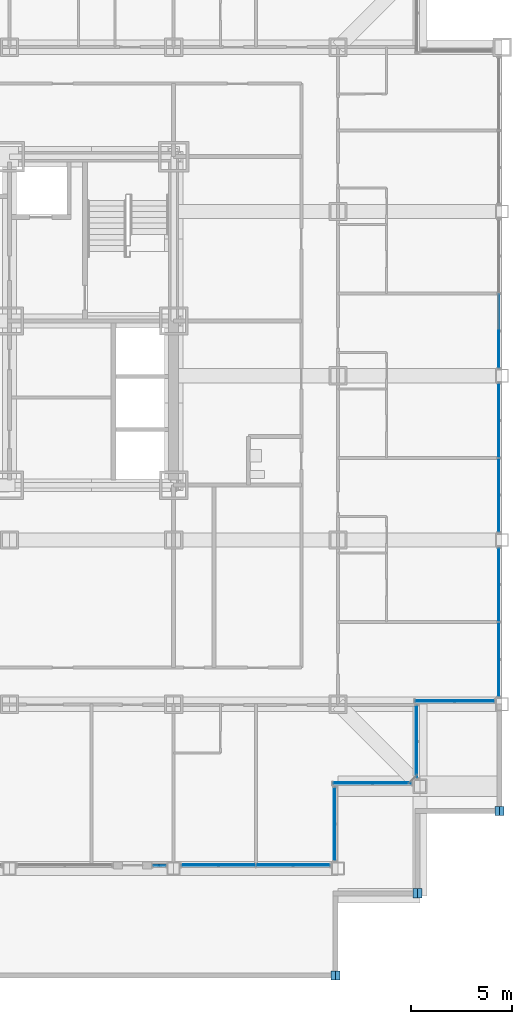
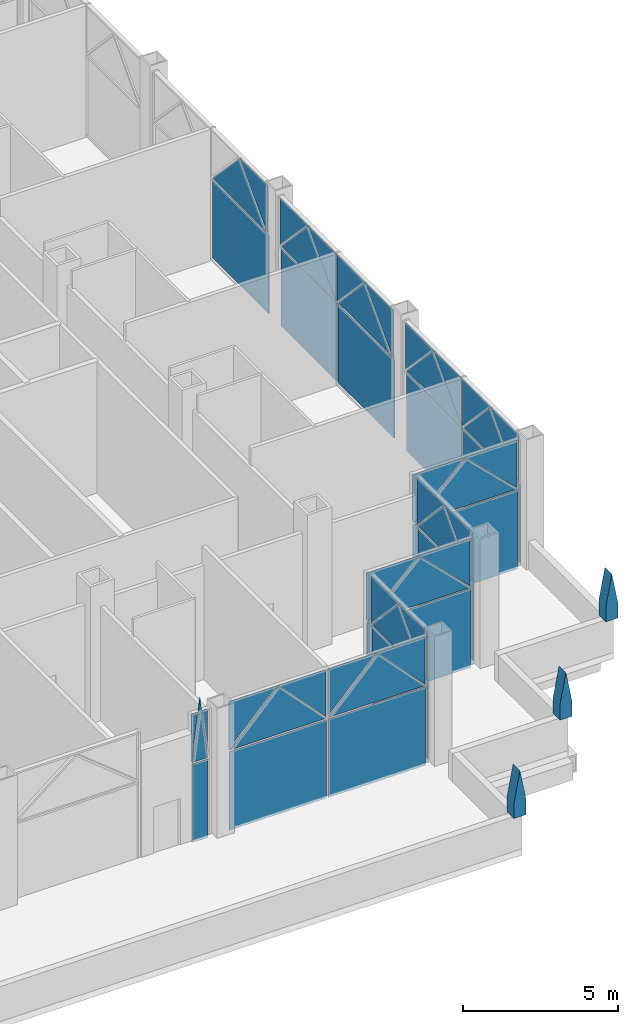
# One storey, part 12 of 26: 50 plates, 9 elements without a shape of their own.
"""IFC4 building model written with IfcOpenShell, lengths in metres."""

from ifc_helpers import new_model, si_unit, direction, frame, origin, origin_2d, place, context, subcontext, project, spatial, polyline, rectangle, outline, extrude, material, layer, layer_set, type_object, element, aggregate, save


model = new_model("IFC4")

# Units and contexts
model_context = context("Model", 3, precision=1e-05, world=origin(), true_north=direction((0.0, 1.0)))
body_context = subcontext(model_context, "Body", "Model", "MODEL_VIEW")
ifc_project = project(units=[si_unit("LENGTHUNIT", "METRE"), si_unit("AREAUNIT", "SQUARE_METRE"), si_unit("VOLUMEUNIT", "CUBIC_METRE"), si_unit("PLANEANGLEUNIT", "RADIAN"), si_unit("MASSUNIT", "GRAM", prefix="KILO")], contexts=[model_context])

# Site, building, storey
site_placement = place(None, origin())
site = spatial("IfcSite", under=ifc_project, at=site_placement, CompositionType="ELEMENT")
building_placement = place(site_placement, origin())
building = spatial("IfcBuilding", under=site, at=building_placement, Name="Kopane Lantern Tower", CompositionType="ELEMENT")
storey_placement = place(building_placement, frame((0.0, 0.0, 98.0)))
storey = spatial("IfcBuildingStorey", under=building, at=storey_placement, Name="L24", CompositionType="ELEMENT", Elevation=98.0)

# Curtain wall, plates
ifc_material_1 = material(Name="Aluminium and clear glass", Category="aluminium")
curtain_wall_type = type_object("IfcCurtainWallType", Name="CURTAIN WALL CW3 SKY LOBBY", PredefinedType="USERDEFINED", material=ifc_material_1)
curtain_wall_1_placement = place(storey_placement, origin())
curtain_wall_1 = element("IfcCurtainWall", 1, at=curtain_wall_1_placement, inside=storey, type_object=curtain_wall_type, Name="Curtain wall CW3 S L24", ObjectType="CURTAIN WALL", PredefinedType="USERDEFINED")
ifc_material_2 = material(Name="Insulated clear glass unit", Category="glass")
ifc_layer_1 = layer(ifc_material_2, 0.033935546875)
ifc_layer_set_1 = layer_set([ifc_layer_1], Name="CURTAIN PANEL CW3-P 34")
plate_type_1 = type_object("IfcPlateType", Name="CURTAIN PANEL CW3-P 34", PredefinedType="CURTAIN_PANEL", material=ifc_layer_set_1)
plate_1_placement = place(storey_placement, frame((39.797607421875, 5.550048828125, 0.070068359375), z_axis=(0.0, 0.0, 1.0), x_axis=(1.0, 0.0, 0.0)))
plate_1 = element("IfcPlate", 2, at=plate_1_placement, type_object=plate_type_1, Name="CW3 panel 1.1", PredefinedType="CURTAIN_PANEL", context=body_context, shape_type="SweptSolid", body=[
    extrude(rectangle(XDim=0.60498046875, YDim=0.033935546875, at=origin_2d()), origin(), (0.0, 0.0, 1.0), 3.0849609375),
])
plate_2_placement = place(storey_placement, frame((39.4951171875, 5.550048828125, 3.22509765625), z_axis=(0.0, 0.0, 1.0), x_axis=(1.0, 0.0, 0.0)))
plate_2 = element("IfcPlate", 3, at=plate_2_placement, type_object=plate_type_1, Name="CW3 lancet panel 1", PredefinedType="CURTAIN_PANEL", context=body_context, shape_type="SweptSolid", body=[
    extrude(outline(polyline([(0.0, 0.0), (0.60498046875, 0.0), (0.60498046875, 0.0009765625), (0.302490234375, 2.44873046875), (0.0, 0.0009765625), (0.0, 0.0)])), frame((0.0, 0.01708984375, 0.0), z_axis=(0.0, -1.0, 0.0), x_axis=(1.0, 0.0, 0.0)), (0.0, 0.0, 1.0), 0.033935546875),
])
plate_3_placement = place(storey_placement, frame((39.4951171875, 5.5859375, 5.1201171875), z_axis=(0.0, 0.0, 1.0), x_axis=(1.0, 0.0, 0.0)))
plate_3 = element("IfcPlate", 4, at=plate_3_placement, type_object=plate_type_1, Name="CW3 spandrel panel 1L", PredefinedType="CURTAIN_PANEL", context=body_context, shape_type="SweptSolid", body=[
    extrude(outline(polyline([(0.0, 0.0), (0.302490234375, 0.0), (0.302490234375, -0.001220703125), (0.0, -1.886474609375), (0.0, 0.0)])), frame((0.0, 0.01708984375, 0.0), z_axis=(0.0, -1.0, 0.0), x_axis=(1.0, 0.0, 0.0)), (0.0, 0.0, 1.0), 0.033935546875),
])
plate_4_placement = place(storey_placement, frame((40.10009765625, 5.5859375, 5.1201171875), z_axis=(0.0, 0.0, 1.0), x_axis=(-1.0, 0.0, 0.0)))
plate_4 = element("IfcPlate", 5, at=plate_4_placement, type_object=plate_type_1, Name="CW3 spandrel panel 1R", PredefinedType="CURTAIN_PANEL", context=body_context, shape_type="SweptSolid", body=[
    extrude(outline(polyline([(0.0, 0.0), (0.302490234375, 0.0), (0.302490234375, -0.001220703125), (0.0, -1.886474609375), (0.0, 0.0)])), frame((0.0, 0.01708984375, 0.0), z_axis=(0.0, -1.0, 0.0), x_axis=(1.0, 0.0, 0.0)), (0.0, 0.0, 1.0), 0.033935546875),
])
aggregate(curtain_wall_1, [plate_1, plate_2, plate_3, plate_4])

curtain_wall_2_placement = place(storey_placement, origin())
curtain_wall_2 = element("IfcCurtainWall", 6, at=curtain_wall_2_placement, inside=storey, type_object=curtain_wall_type, Name="Curtain wall CW3 S L24", ObjectType="CURTAIN WALL", PredefinedType="USERDEFINED")
plate_5_placement = place(storey_placement, frame((42.70751953125, 5.550048828125, 0.070068359375), z_axis=(0.0, 0.0, 1.0), x_axis=(1.0, 0.0, 0.0)))
plate_5 = element("IfcPlate", 7, at=plate_5_placement, type_object=plate_type_1, Name="CW3 panel 1.1", PredefinedType="CURTAIN_PANEL", context=body_context, shape_type="SweptSolid", body=[
    extrude(rectangle(XDim=3.614990234375, YDim=0.033935546875, at=origin_2d()), origin(), (0.0, 0.0, 1.0), 3.0849609375),
])
plate_6_placement = place(storey_placement, frame((46.392578125, 5.550048828125, 0.070068359375), z_axis=(0.0, 0.0, 1.0), x_axis=(1.0, 0.0, 0.0)))
plate_6 = element("IfcPlate", 8, at=plate_6_placement, type_object=plate_type_1, Name="CW3 panel 2.1", PredefinedType="CURTAIN_PANEL", context=body_context, shape_type="SweptSolid", body=[
    extrude(rectangle(XDim=3.614990234375, YDim=0.033935546875, at=origin_2d()), origin(), (0.0, 0.0, 1.0), 3.0849609375),
])
plate_7_placement = place(storey_placement, frame((40.89990234375, 5.550048828125, 3.22509765625), z_axis=(0.0, 0.0, 1.0), x_axis=(1.0, 0.0, 0.0)))
plate_7 = element("IfcPlate", 9, at=plate_7_placement, type_object=plate_type_1, Name="CW3 lancet panel 1", PredefinedType="CURTAIN_PANEL", context=body_context, shape_type="SweptSolid", body=[
    extrude(outline(polyline([(0.0, 0.0), (3.614990234375, 0.0), (3.614990234375, 0.0009765625), (1.8076171875, 1.89990234375), (0.0, 0.0009765625), (0.0, 0.0)])), frame((0.0, 0.01708984375, 0.0), z_axis=(0.0, -1.0, 0.0), x_axis=(1.0, 0.0, 0.0)), (0.0, 0.0, 1.0), 0.033935546875),
])
plate_8_placement = place(storey_placement, frame((40.89990234375, 5.5859375, 5.1201171875), z_axis=(0.0, 0.0, 1.0), x_axis=(1.0, 0.0, 0.0)))
plate_8 = element("IfcPlate", 10, at=plate_8_placement, type_object=plate_type_1, Name="CW3 spandrel panel 1L", PredefinedType="CURTAIN_PANEL", context=body_context, shape_type="SweptSolid", body=[
    extrude(outline(polyline([(0.0, 0.0), (1.8076171875, 0.0), (1.8076171875, -0.001220703125), (0.0, -1.846923828125), (0.0, 0.0)])), frame((0.0, 0.01708984375, 0.0), z_axis=(0.0, -1.0, 0.0), x_axis=(1.0, 0.0, 0.0)), (0.0, 0.0, 1.0), 0.033935546875),
])
plate_9_placement = place(storey_placement, frame((44.514892578125, 5.5859375, 5.1201171875), z_axis=(0.0, 0.0, 1.0), x_axis=(-1.0, 0.0, 0.0)))
plate_9 = element("IfcPlate", 11, at=plate_9_placement, type_object=plate_type_1, Name="CW3 spandrel panel 1R", PredefinedType="CURTAIN_PANEL", context=body_context, shape_type="SweptSolid", body=[
    extrude(outline(polyline([(0.0, 0.0), (1.807373046875, 0.0), (1.8076171875, -0.001220703125), (0.0, -1.846923828125), (0.0, 0.0)])), frame((0.0, 0.01708984375, 0.0), z_axis=(0.0, -1.0, 0.0), x_axis=(1.0, 0.0, 0.0)), (0.0, 0.0, 1.0), 0.033935546875),
])
plate_10_placement = place(storey_placement, frame((44.5849609375, 5.550048828125, 3.22509765625), z_axis=(0.0, 0.0, 1.0), x_axis=(1.0, 0.0, 0.0)))
plate_10 = element("IfcPlate", 12, at=plate_10_placement, type_object=plate_type_1, Name="CW3 lancet panel 2", PredefinedType="CURTAIN_PANEL", context=body_context, shape_type="SweptSolid", body=[
    extrude(outline(polyline([(0.0, 0.0), (3.614990234375, 0.0), (3.614990234375, 0.0009765625), (1.8076171875, 1.89990234375), (0.0, 0.0009765625), (0.0, 0.0)])), frame((0.0, 0.01708984375, 0.0), z_axis=(0.0, -1.0, 0.0), x_axis=(1.0, 0.0, 0.0)), (0.0, 0.0, 1.0), 0.033935546875),
])
plate_11_placement = place(storey_placement, frame((44.5849609375, 5.5859375, 5.1201171875), z_axis=(0.0, 0.0, 1.0), x_axis=(1.0, 0.0, 0.0)))
plate_11 = element("IfcPlate", 13, at=plate_11_placement, type_object=plate_type_1, Name="CW3 spandrel panel 2L", PredefinedType="CURTAIN_PANEL", context=body_context, shape_type="SweptSolid", body=[
    extrude(outline(polyline([(0.0, 0.0), (1.8076171875, 0.0), (1.8076171875, -0.001220703125), (0.0, -1.846923828125), (0.0, 0.0)])), frame((0.0, 0.01708984375, 0.0), z_axis=(0.0, -1.0, 0.0), x_axis=(1.0, 0.0, 0.0)), (0.0, 0.0, 1.0), 0.033935546875),
])
plate_12_placement = place(storey_placement, frame((48.199951171875, 5.5859375, 5.1201171875), z_axis=(0.0, 0.0, 1.0), x_axis=(-1.0, 0.0, 0.0)))
plate_12 = element("IfcPlate", 14, at=plate_12_placement, type_object=plate_type_1, Name="CW3 spandrel panel 2R", PredefinedType="CURTAIN_PANEL", context=body_context, shape_type="SweptSolid", body=[
    extrude(outline(polyline([(0.0, 0.0), (1.807373046875, 0.0), (1.8076171875, -0.001220703125), (0.0, -1.846923828125), (0.0, 0.0)])), frame((0.0, 0.01708984375, 0.0), z_axis=(0.0, -1.0, 0.0), x_axis=(1.0, 0.0, 0.0)), (0.0, 0.0, 1.0), 0.033935546875),
])
aggregate(curtain_wall_2, [plate_5, plate_6, plate_7, plate_8, plate_9, plate_10, plate_11, plate_12])

curtain_wall_3_placement = place(storey_placement, origin())
curtain_wall_3 = element("IfcCurtainWall", 15, at=curtain_wall_3_placement, inside=storey, type_object=curtain_wall_type, Name="Curtain wall CW3 E L24", ObjectType="CURTAIN WALL", PredefinedType="USERDEFINED")
plate_13_placement = place(storey_placement, frame((48.449951171875, 7.590087890625, 0.070068359375), z_axis=(0.0, 0.0, 1.0), x_axis=(0.0, 1.0, 0.0)))
plate_13 = element("IfcPlate", 16, at=plate_13_placement, type_object=plate_type_1, Name="CW3 panel 1.1", PredefinedType="CURTAIN_PANEL", context=body_context, shape_type="SweptSolid", body=[
    extrude(rectangle(XDim=3.580078125, YDim=0.033935546875, at=origin_2d()), origin(), (0.0, 0.0, 1.0), 3.0849609375),
])
plate_14_placement = place(storey_placement, frame((48.449951171875, 5.800048828125, 3.22509765625), z_axis=(0.0, 0.0, 1.0), x_axis=(0.0, 1.0, 0.0)))
plate_14 = element("IfcPlate", 17, at=plate_14_placement, type_object=plate_type_1, Name="CW3 lancet panel 1", PredefinedType="CURTAIN_PANEL", context=body_context, shape_type="SweptSolid", body=[
    extrude(outline(polyline([(0.0, 0.0), (3.579833984375, 0.0), (3.580078125, 0.0009765625), (1.7900390625, 1.901123046875), (0.0, 0.0009765625), (0.0, 0.0)])), frame((0.0, 0.01708984375, 0.0), z_axis=(0.0, -1.0, 0.0), x_axis=(1.0, 0.0, 0.0)), (0.0, 0.0, 1.0), 0.033935546875),
])
plate_15_placement = place(storey_placement, frame((48.4140625, 5.800048828125, 5.1201171875), z_axis=(0.0, 0.0, 1.0), x_axis=(0.0, 1.0, 0.0)))
plate_15 = element("IfcPlate", 18, at=plate_15_placement, type_object=plate_type_1, Name="CW3 spandrel panel 1L", PredefinedType="CURTAIN_PANEL", context=body_context, shape_type="SweptSolid", body=[
    extrude(outline(polyline([(0.0, 0.0), (1.7900390625, 0.0), (1.7900390625, -0.001220703125), (0.0, -1.84716796875), (0.0, 0.0)])), frame((0.0, 0.01708984375, 0.0), z_axis=(0.0, -1.0, 0.0), x_axis=(1.0, 0.0, 0.0)), (0.0, 0.0, 1.0), 0.033935546875),
])
plate_16_placement = place(storey_placement, frame((48.4140625, 9.3798828125, 5.1201171875), z_axis=(0.0, 0.0, 1.0), x_axis=(0.0, -1.0, 0.0)))
plate_16 = element("IfcPlate", 19, at=plate_16_placement, type_object=plate_type_1, Name="CW3 spandrel panel 1R", PredefinedType="CURTAIN_PANEL", context=body_context, shape_type="SweptSolid", body=[
    extrude(outline(polyline([(0.0, 0.0), (1.789794921875, 0.0), (1.7900390625, -0.001220703125), (0.0, -1.84716796875), (0.0, 0.0)])), frame((0.0, 0.01708984375, 0.0), z_axis=(0.0, -1.0, 0.0), x_axis=(1.0, 0.0, 0.0)), (0.0, 0.0, 1.0), 0.033935546875),
])
aggregate(curtain_wall_3, [plate_13, plate_14, plate_15, plate_16])

curtain_wall_4_placement = place(storey_placement, origin())
curtain_wall_4 = element("IfcCurtainWall", 20, at=curtain_wall_4_placement, inside=storey, type_object=curtain_wall_type, Name="Curtain wall CW3 S L24", ObjectType="CURTAIN WALL", PredefinedType="USERDEFINED")
plate_17_placement = place(storey_placement, frame((50.297607421875, 9.60009765625, 0.070068359375), z_axis=(0.0, 0.0, 1.0), x_axis=(1.0, 0.0, 0.0)))
plate_17 = element("IfcPlate", 21, at=plate_17_placement, type_object=plate_type_1, Name="CW3 panel 1.1", PredefinedType="CURTAIN_PANEL", context=body_context, shape_type="SweptSolid", body=[
    extrude(rectangle(XDim=3.85498046875, YDim=0.033935546875, at=origin_2d()), origin(), (0.0, 0.0, 1.0), 3.0849609375),
])
plate_18_placement = place(storey_placement, frame((48.3701171875, 9.60009765625, 3.22509765625), z_axis=(0.0, 0.0, 1.0), x_axis=(1.0, 0.0, 0.0)))
plate_18 = element("IfcPlate", 22, at=plate_18_placement, type_object=plate_type_1, Name="CW3 lancet panel 1", PredefinedType="CURTAIN_PANEL", context=body_context, shape_type="SweptSolid", body=[
    extrude(outline(polyline([(0.0, 0.0), (3.85498046875, 0.0), (3.85498046875, 0.0009765625), (1.927490234375, 1.89306640625), (0.0, 0.0009765625), (0.0, 0.0)])), frame((0.0, 0.01708984375, 0.0), z_axis=(0.0, -1.0, 0.0), x_axis=(1.0, 0.0, 0.0)), (0.0, 0.0, 1.0), 0.033935546875),
])
plate_19_placement = place(storey_placement, frame((48.3701171875, 9.635986328125, 5.1201171875), z_axis=(0.0, 0.0, 1.0), x_axis=(1.0, 0.0, 0.0)))
plate_19 = element("IfcPlate", 23, at=plate_19_placement, type_object=plate_type_1, Name="CW3 spandrel panel 1L", PredefinedType="CURTAIN_PANEL", context=body_context, shape_type="SweptSolid", body=[
    extrude(outline(polyline([(0.0, 0.0), (1.927490234375, 0.0), (1.927490234375, -0.001220703125), (0.0, -1.84521484375), (0.0, 0.0)])), frame((0.0, 0.01708984375, 0.0), z_axis=(0.0, -1.0, 0.0), x_axis=(1.0, 0.0, 0.0)), (0.0, 0.0, 1.0), 0.033935546875),
])
plate_20_placement = place(storey_placement, frame((52.22509765625, 9.635986328125, 5.1201171875), z_axis=(0.0, 0.0, 1.0), x_axis=(-1.0, 0.0, 0.0)))
plate_20 = element("IfcPlate", 24, at=plate_20_placement, type_object=plate_type_1, Name="CW3 spandrel panel 1R", PredefinedType="CURTAIN_PANEL", context=body_context, shape_type="SweptSolid", body=[
    extrude(outline(polyline([(0.0, 0.0), (1.927490234375, 0.0), (1.927490234375, -0.001220703125), (0.0, -1.84521484375), (0.0, 0.0)])), frame((0.0, 0.01708984375, 0.0), z_axis=(0.0, -1.0, 0.0), x_axis=(1.0, 0.0, 0.0)), (0.0, 0.0, 1.0), 0.033935546875),
])
aggregate(curtain_wall_4, [plate_17, plate_18, plate_19, plate_20])

curtain_wall_5_placement = place(storey_placement, origin())
curtain_wall_5 = element("IfcCurtainWall", 25, at=curtain_wall_5_placement, inside=storey, type_object=curtain_wall_type, Name="Curtain wall CW3 E L24", ObjectType="CURTAIN WALL", PredefinedType="USERDEFINED")
plate_21_placement = place(storey_placement, frame((52.5, 11.652587890625, 0.070068359375), z_axis=(0.0, 0.0, 1.0), x_axis=(0.0, 1.0, 0.0)))
plate_21 = element("IfcPlate", 26, at=plate_21_placement, type_object=plate_type_1, Name="CW3 panel 1.1", PredefinedType="CURTAIN_PANEL", context=body_context, shape_type="SweptSolid", body=[
    extrude(rectangle(XDim=3.554931640625, YDim=0.033935546875, at=origin_2d()), origin(), (0.0, 0.0, 1.0), 3.0849609375),
])
plate_22_placement = place(storey_placement, frame((52.5, 9.875, 3.22509765625), z_axis=(0.0, 0.0, 1.0), x_axis=(0.0, 1.0, 0.0)))
plate_22 = element("IfcPlate", 27, at=plate_22_placement, type_object=plate_type_1, Name="CW3 lancet panel 1", PredefinedType="CURTAIN_PANEL", context=body_context, shape_type="SweptSolid", body=[
    extrude(outline(polyline([(0.0, 0.0), (3.554931640625, 0.0), (3.554931640625, 0.0009765625), (1.777587890625, 1.90185546875), (0.0, 0.0009765625), (0.0, 0.0)])), frame((0.0, 0.01708984375, 0.0), z_axis=(0.0, -1.0, 0.0), x_axis=(1.0, 0.0, 0.0)), (0.0, 0.0, 1.0), 0.033935546875),
])
plate_23_placement = place(storey_placement, frame((52.464111328125, 9.875, 5.1201171875), z_axis=(0.0, 0.0, 1.0), x_axis=(0.0, 1.0, 0.0)))
plate_23 = element("IfcPlate", 28, at=plate_23_placement, type_object=plate_type_1, Name="CW3 spandrel panel 1L", PredefinedType="CURTAIN_PANEL", context=body_context, shape_type="SweptSolid", body=[
    extrude(outline(polyline([(0.0, 0.0), (1.777587890625, 0.0), (1.777587890625, -0.001220703125), (0.0, -1.847412109375), (0.0, 0.0)])), frame((0.0, 0.01708984375, 0.0), z_axis=(0.0, -1.0, 0.0), x_axis=(1.0, 0.0, 0.0)), (0.0, 0.0, 1.0), 0.033935546875),
])
plate_24_placement = place(storey_placement, frame((52.464111328125, 13.429931640625, 5.1201171875), z_axis=(0.0, 0.0, 1.0), x_axis=(0.0, -1.0, 0.0)))
plate_24 = element("IfcPlate", 29, at=plate_24_placement, type_object=plate_type_1, Name="CW3 spandrel panel 1R", PredefinedType="CURTAIN_PANEL", context=body_context, shape_type="SweptSolid", body=[
    extrude(outline(polyline([(0.0, 0.0), (1.77734375, 0.0), (1.777587890625, -0.001220703125), (0.0, -1.847412109375), (0.0, 0.0)])), frame((0.0, 0.01708984375, 0.0), z_axis=(0.0, -1.0, 0.0), x_axis=(1.0, 0.0, 0.0)), (0.0, 0.0, 1.0), 0.033935546875),
])
aggregate(curtain_wall_5, [plate_21, plate_22, plate_23, plate_24])

curtain_wall_6_placement = place(storey_placement, origin())
curtain_wall_6 = element("IfcCurtainWall", 30, at=curtain_wall_6_placement, inside=storey, type_object=curtain_wall_type, Name="Curtain wall CW3 S L24", ObjectType="CURTAIN WALL", PredefinedType="USERDEFINED")
plate_25_placement = place(storey_placement, frame((54.360107421875, 13.64990234375, 0.070068359375), z_axis=(0.0, 0.0, 1.0), x_axis=(1.0, 0.0, 0.0)))
plate_25 = element("IfcPlate", 31, at=plate_25_placement, type_object=plate_type_1, Name="CW3 panel 1.1", PredefinedType="CURTAIN_PANEL", context=body_context, shape_type="SweptSolid", body=[
    extrude(rectangle(XDim=3.8798828125, YDim=0.033935546875, at=origin_2d()), origin(), (0.0, 0.0, 1.0), 3.0849609375),
])
plate_26_placement = place(storey_placement, frame((52.419921875, 13.64990234375, 3.22509765625), z_axis=(0.0, 0.0, 1.0), x_axis=(1.0, 0.0, 0.0)))
plate_26 = element("IfcPlate", 32, at=plate_26_placement, type_object=plate_type_1, Name="CW3 lancet panel 1", PredefinedType="CURTAIN_PANEL", context=body_context, shape_type="SweptSolid", body=[
    extrude(outline(polyline([(0.0, 0.0), (3.880126953125, 0.0), (3.8798828125, 0.0009765625), (1.93994140625, 1.892578125), (0.0, 0.0009765625), (0.0, 0.0)])), frame((0.0, 0.01708984375, 0.0), z_axis=(0.0, -1.0, 0.0), x_axis=(1.0, 0.0, 0.0)), (0.0, 0.0, 1.0), 0.033935546875),
])
plate_27_placement = place(storey_placement, frame((52.419921875, 13.68603515625, 5.1201171875), z_axis=(0.0, 0.0, 1.0), x_axis=(1.0, 0.0, 0.0)))
plate_27 = element("IfcPlate", 33, at=plate_27_placement, type_object=plate_type_1, Name="CW3 spandrel panel 1L", PredefinedType="CURTAIN_PANEL", context=body_context, shape_type="SweptSolid", body=[
    extrude(outline(polyline([(0.0, 0.0), (1.940185546875, 0.0), (1.93994140625, -0.001220703125), (0.0, -1.844970703125), (0.0, 0.0)])), frame((0.0, 0.01708984375, 0.0), z_axis=(0.0, -1.0, 0.0), x_axis=(1.0, 0.0, 0.0)), (0.0, 0.0, 1.0), 0.033935546875),
])
plate_28_placement = place(storey_placement, frame((56.300048828125, 13.68603515625, 5.1201171875), z_axis=(0.0, 0.0, 1.0), x_axis=(-1.0, 0.0, 0.0)))
plate_28 = element("IfcPlate", 34, at=plate_28_placement, type_object=plate_type_1, Name="CW3 spandrel panel 1R", PredefinedType="CURTAIN_PANEL", context=body_context, shape_type="SweptSolid", body=[
    extrude(outline(polyline([(0.0, 0.0), (1.93994140625, 0.0), (1.93994140625, -0.001220703125), (0.0, -1.844970703125), (0.0, 0.0)])), frame((0.0, 0.01708984375, 0.0), z_axis=(0.0, -1.0, 0.0), x_axis=(1.0, 0.0, 0.0)), (0.0, 0.0, 1.0), 0.033935546875),
])
aggregate(curtain_wall_6, [plate_25, plate_26, plate_27, plate_28])

curtain_wall_7_placement = place(storey_placement, origin())
curtain_wall_7 = element("IfcCurtainWall", 35, at=curtain_wall_7_placement, inside=storey, type_object=curtain_wall_type, Name="Curtain wall CW3 E L24", ObjectType="CURTAIN WALL", PredefinedType="USERDEFINED")
plate_29_placement = place(storey_placement, frame((56.550048828125, 15.70751953125, 0.070068359375), z_axis=(0.0, 0.0, 1.0), x_axis=(0.0, 1.0, 0.0)))
plate_29 = element("IfcPlate", 36, at=plate_29_placement, type_object=plate_type_1, Name="CW3 panel 1.1", PredefinedType="CURTAIN_PANEL", context=body_context, shape_type="SweptSolid", body=[
    extrude(rectangle(XDim=3.614990234375, YDim=0.033935546875, at=origin_2d()), origin(), (0.0, 0.0, 1.0), 3.0849609375),
])
plate_30_placement = place(storey_placement, frame((56.550048828125, 19.392578125, 0.070068359375), z_axis=(0.0, 0.0, 1.0), x_axis=(0.0, 1.0, 0.0)))
plate_30 = element("IfcPlate", 37, at=plate_30_placement, type_object=plate_type_1, Name="CW3 panel 2.1", PredefinedType="CURTAIN_PANEL", context=body_context, shape_type="SweptSolid", body=[
    extrude(rectangle(XDim=3.614990234375, YDim=0.033935546875, at=origin_2d()), origin(), (0.0, 0.0, 1.0), 3.0849609375),
])
plate_31_placement = place(storey_placement, frame((56.550048828125, 13.89990234375, 3.22509765625), z_axis=(0.0, 0.0, 1.0), x_axis=(0.0, 1.0, 0.0)))
plate_31 = element("IfcPlate", 38, at=plate_31_placement, type_object=plate_type_1, Name="CW3 lancet panel 1", PredefinedType="CURTAIN_PANEL", context=body_context, shape_type="SweptSolid", body=[
    extrude(outline(polyline([(0.0, 0.0), (3.614990234375, 0.0), (3.614990234375, 0.0009765625), (1.8076171875, 1.89990234375), (0.0, 0.0009765625), (0.0, 0.0)])), frame((0.0, 0.01708984375, 0.0), z_axis=(0.0, -1.0, 0.0), x_axis=(1.0, 0.0, 0.0)), (0.0, 0.0, 1.0), 0.033935546875),
])
plate_32_placement = place(storey_placement, frame((56.513916015625, 13.89990234375, 5.1201171875), z_axis=(0.0, 0.0, 1.0), x_axis=(0.0, 1.0, 0.0)))
plate_32 = element("IfcPlate", 39, at=plate_32_placement, type_object=plate_type_1, Name="CW3 spandrel panel 1L", PredefinedType="CURTAIN_PANEL", context=body_context, shape_type="SweptSolid", body=[
    extrude(outline(polyline([(0.0, 0.0), (1.8076171875, 0.0), (1.8076171875, -0.001220703125), (0.0, -1.846923828125), (0.0, 0.0)])), frame((0.0, 0.01708984375, 0.0), z_axis=(0.0, -1.0, 0.0), x_axis=(1.0, 0.0, 0.0)), (0.0, 0.0, 1.0), 0.033935546875),
])
plate_33_placement = place(storey_placement, frame((56.513916015625, 17.514892578125, 5.1201171875), z_axis=(0.0, 0.0, 1.0), x_axis=(0.0, -1.0, 0.0)))
plate_33 = element("IfcPlate", 40, at=plate_33_placement, type_object=plate_type_1, Name="CW3 spandrel panel 1R", PredefinedType="CURTAIN_PANEL", context=body_context, shape_type="SweptSolid", body=[
    extrude(outline(polyline([(0.0, 0.0), (1.807373046875, 0.0), (1.8076171875, -0.001220703125), (0.0, -1.846923828125), (0.0, 0.0)])), frame((0.0, 0.01708984375, 0.0), z_axis=(0.0, -1.0, 0.0), x_axis=(1.0, 0.0, 0.0)), (0.0, 0.0, 1.0), 0.033935546875),
])
plate_34_placement = place(storey_placement, frame((56.550048828125, 17.5849609375, 3.22509765625), z_axis=(0.0, 0.0, 1.0), x_axis=(0.0, 1.0, 0.0)))
plate_34 = element("IfcPlate", 41, at=plate_34_placement, type_object=plate_type_1, Name="CW3 lancet panel 2", PredefinedType="CURTAIN_PANEL", context=body_context, shape_type="SweptSolid", body=[
    extrude(outline(polyline([(0.0, 0.0), (3.614990234375, 0.0), (3.614990234375, 0.0009765625), (1.8076171875, 1.89990234375), (0.0, 0.0009765625), (0.0, 0.0)])), frame((0.0, 0.01708984375, 0.0), z_axis=(0.0, -1.0, 0.0), x_axis=(1.0, 0.0, 0.0)), (0.0, 0.0, 1.0), 0.033935546875),
])
plate_35_placement = place(storey_placement, frame((56.513916015625, 17.5849609375, 5.1201171875), z_axis=(0.0, 0.0, 1.0), x_axis=(0.0, 1.0, 0.0)))
plate_35 = element("IfcPlate", 42, at=plate_35_placement, type_object=plate_type_1, Name="CW3 spandrel panel 2L", PredefinedType="CURTAIN_PANEL", context=body_context, shape_type="SweptSolid", body=[
    extrude(outline(polyline([(0.0, 0.0), (1.8076171875, 0.0), (1.8076171875, -0.001220703125), (0.0, -1.846923828125), (0.0, 0.0)])), frame((0.0, 0.01708984375, 0.0), z_axis=(0.0, -1.0, 0.0), x_axis=(1.0, 0.0, 0.0)), (0.0, 0.0, 1.0), 0.033935546875),
])
plate_36_placement = place(storey_placement, frame((56.513916015625, 21.199951171875, 5.1201171875), z_axis=(0.0, 0.0, 1.0), x_axis=(0.0, -1.0, 0.0)))
plate_36 = element("IfcPlate", 43, at=plate_36_placement, type_object=plate_type_1, Name="CW3 spandrel panel 2R", PredefinedType="CURTAIN_PANEL", context=body_context, shape_type="SweptSolid", body=[
    extrude(outline(polyline([(0.0, 0.0), (1.807373046875, 0.0), (1.8076171875, -0.001220703125), (0.0, -1.846923828125), (0.0, 0.0)])), frame((0.0, 0.01708984375, 0.0), z_axis=(0.0, -1.0, 0.0), x_axis=(1.0, 0.0, 0.0)), (0.0, 0.0, 1.0), 0.033935546875),
])
aggregate(curtain_wall_7, [plate_29, plate_30, plate_31, plate_32, plate_33, plate_34, plate_35, plate_36])

curtain_wall_8_placement = place(storey_placement, origin())
curtain_wall_8 = element("IfcCurtainWall", 44, at=curtain_wall_8_placement, inside=storey, type_object=curtain_wall_type, Name="Curtain wall CW3 E L24", ObjectType="CURTAIN WALL", PredefinedType="USERDEFINED")
plate_37_placement = place(storey_placement, frame((56.550048828125, 23.8076171875, 0.070068359375), z_axis=(0.0, 0.0, 1.0), x_axis=(0.0, 1.0, 0.0)))
plate_37 = element("IfcPlate", 45, at=plate_37_placement, type_object=plate_type_1, Name="CW3 panel 1.1", PredefinedType="CURTAIN_PANEL", context=body_context, shape_type="SweptSolid", body=[
    extrude(rectangle(XDim=3.614990234375, YDim=0.033935546875, at=origin_2d()), origin(), (0.0, 0.0, 1.0), 3.0849609375),
])
plate_38_placement = place(storey_placement, frame((56.550048828125, 27.492431640625, 0.070068359375), z_axis=(0.0, 0.0, 1.0), x_axis=(0.0, 1.0, 0.0)))
plate_38 = element("IfcPlate", 46, at=plate_38_placement, type_object=plate_type_1, Name="CW3 panel 2.1", PredefinedType="CURTAIN_PANEL", context=body_context, shape_type="SweptSolid", body=[
    extrude(rectangle(XDim=3.614990234375, YDim=0.033935546875, at=origin_2d()), origin(), (0.0, 0.0, 1.0), 3.0849609375),
])
plate_39_placement = place(storey_placement, frame((56.550048828125, 22.0, 3.22509765625), z_axis=(0.0, 0.0, 1.0), x_axis=(0.0, 1.0, 0.0)))
plate_39 = element("IfcPlate", 47, at=plate_39_placement, type_object=plate_type_1, Name="CW3 lancet panel 1", PredefinedType="CURTAIN_PANEL", context=body_context, shape_type="SweptSolid", body=[
    extrude(outline(polyline([(0.0, 0.0), (3.614990234375, 0.0), (3.614990234375, 0.0009765625), (1.8076171875, 1.89990234375), (0.0, 0.0009765625), (0.0, 0.0)])), frame((0.0, 0.01708984375, 0.0), z_axis=(0.0, -1.0, 0.0), x_axis=(1.0, 0.0, 0.0)), (0.0, 0.0, 1.0), 0.033935546875),
])
plate_40_placement = place(storey_placement, frame((56.513916015625, 22.0, 5.1201171875), z_axis=(0.0, 0.0, 1.0), x_axis=(0.0, 1.0, 0.0)))
plate_40 = element("IfcPlate", 48, at=plate_40_placement, type_object=plate_type_1, Name="CW3 spandrel panel 1L", PredefinedType="CURTAIN_PANEL", context=body_context, shape_type="SweptSolid", body=[
    extrude(outline(polyline([(0.0, 0.0), (1.8076171875, 0.0), (1.8076171875, -0.001220703125), (0.0, -1.846923828125), (0.0, 0.0)])), frame((0.0, 0.01708984375, 0.0), z_axis=(0.0, -1.0, 0.0), x_axis=(1.0, 0.0, 0.0)), (0.0, 0.0, 1.0), 0.033935546875),
])
plate_41_placement = place(storey_placement, frame((56.513916015625, 25.614990234375, 5.1201171875), z_axis=(0.0, 0.0, 1.0), x_axis=(0.0, -1.0, 0.0)))
plate_41 = element("IfcPlate", 49, at=plate_41_placement, type_object=plate_type_1, Name="CW3 spandrel panel 1R", PredefinedType="CURTAIN_PANEL", context=body_context, shape_type="SweptSolid", body=[
    extrude(outline(polyline([(0.0, 0.0), (1.807373046875, 0.0), (1.8076171875, -0.001220703125), (0.0, -1.846923828125), (0.0, 0.0)])), frame((0.0, 0.01708984375, 0.0), z_axis=(0.0, -1.0, 0.0), x_axis=(1.0, 0.0, 0.0)), (0.0, 0.0, 1.0), 0.033935546875),
])
plate_42_placement = place(storey_placement, frame((56.550048828125, 25.68505859375, 3.22509765625), z_axis=(0.0, 0.0, 1.0), x_axis=(0.0, 1.0, 0.0)))
plate_42 = element("IfcPlate", 50, at=plate_42_placement, type_object=plate_type_1, Name="CW3 lancet panel 2", PredefinedType="CURTAIN_PANEL", context=body_context, shape_type="SweptSolid", body=[
    extrude(outline(polyline([(0.0, 0.0), (3.614990234375, 0.0), (3.614990234375, 0.0009765625), (1.8076171875, 1.89990234375), (0.0, 0.0009765625), (0.0, 0.0)])), frame((0.0, 0.01708984375, 0.0), z_axis=(0.0, -1.0, 0.0), x_axis=(1.0, 0.0, 0.0)), (0.0, 0.0, 1.0), 0.033935546875),
])
plate_43_placement = place(storey_placement, frame((56.513916015625, 25.68505859375, 5.1201171875), z_axis=(0.0, 0.0, 1.0), x_axis=(0.0, 1.0, 0.0)))
plate_43 = element("IfcPlate", 51, at=plate_43_placement, type_object=plate_type_1, Name="CW3 spandrel panel 2L", PredefinedType="CURTAIN_PANEL", context=body_context, shape_type="SweptSolid", body=[
    extrude(outline(polyline([(0.0, 0.0), (1.807373046875, 0.0), (1.8076171875, -0.001220703125), (0.0, -1.846923828125), (0.0, 0.0)])), frame((0.0, 0.01708984375, 0.0), z_axis=(0.0, -1.0, 0.0), x_axis=(1.0, 0.0, 0.0)), (0.0, 0.0, 1.0), 0.033935546875),
])
plate_44_placement = place(storey_placement, frame((56.513916015625, 29.300048828125, 5.1201171875), z_axis=(0.0, 0.0, 1.0), x_axis=(0.0, -1.0, 0.0)))
plate_44 = element("IfcPlate", 52, at=plate_44_placement, type_object=plate_type_1, Name="CW3 spandrel panel 2R", PredefinedType="CURTAIN_PANEL", context=body_context, shape_type="SweptSolid", body=[
    extrude(outline(polyline([(0.0, 0.0), (1.8076171875, 0.0), (1.8076171875, -0.001220703125), (0.0, -1.846923828125), (0.0, 0.0)])), frame((0.0, 0.01708984375, 0.0), z_axis=(0.0, -1.0, 0.0), x_axis=(1.0, 0.0, 0.0)), (0.0, 0.0, 1.0), 0.033935546875),
])
aggregate(curtain_wall_8, [plate_37, plate_38, plate_39, plate_40, plate_41, plate_42, plate_43, plate_44])

curtain_wall_9_placement = place(storey_placement, origin())
curtain_wall_9 = element("IfcCurtainWall", 53, at=curtain_wall_9_placement, inside=storey, type_object=curtain_wall_type, Name="Curtain wall CW3 E L24", ObjectType="CURTAIN WALL", PredefinedType="USERDEFINED")
plate_45_placement = place(storey_placement, frame((56.550048828125, 31.907470703125, 0.070068359375), z_axis=(0.0, 0.0, 1.0), x_axis=(0.0, 1.0, 0.0)))
plate_45 = element("IfcPlate", 54, at=plate_45_placement, type_object=plate_type_1, Name="CW3 panel 1.1", PredefinedType="CURTAIN_PANEL", context=body_context, shape_type="SweptSolid", body=[
    extrude(rectangle(XDim=3.614990234375, YDim=0.033935546875, at=origin_2d()), origin(), (0.0, 0.0, 1.0), 3.0849609375),
])
plate_46_placement = place(storey_placement, frame((56.550048828125, 30.10009765625, 3.22509765625), z_axis=(0.0, 0.0, 1.0), x_axis=(0.0, 1.0, 0.0)))
plate_46 = element("IfcPlate", 55, at=plate_46_placement, type_object=plate_type_1, Name="CW3 lancet panel 1", PredefinedType="CURTAIN_PANEL", context=body_context, shape_type="SweptSolid", body=[
    extrude(outline(polyline([(0.0, 0.0), (3.614990234375, 0.0), (3.614990234375, 0.0009765625), (1.8076171875, 1.89990234375), (0.0, 0.0009765625), (0.0, 0.0)])), frame((0.0, 0.01708984375, 0.0), z_axis=(0.0, -1.0, 0.0), x_axis=(1.0, 0.0, 0.0)), (0.0, 0.0, 1.0), 0.033935546875),
])
plate_47_placement = place(storey_placement, frame((56.513916015625, 30.10009765625, 5.1201171875), z_axis=(0.0, 0.0, 1.0), x_axis=(0.0, 1.0, 0.0)))
plate_47 = element("IfcPlate", 56, at=plate_47_placement, type_object=plate_type_1, Name="CW3 spandrel panel 1L", PredefinedType="CURTAIN_PANEL", context=body_context, shape_type="SweptSolid", body=[
    extrude(outline(polyline([(0.0, 0.0), (1.807373046875, 0.0), (1.8076171875, -0.001220703125), (0.0, -1.846923828125), (0.0, 0.0)])), frame((0.0, 0.01708984375, 0.0), z_axis=(0.0, -1.0, 0.0), x_axis=(1.0, 0.0, 0.0)), (0.0, 0.0, 1.0), 0.033935546875),
])
aggregate(curtain_wall_9, [plate_45, plate_46, plate_47])

# Plates
ifc_material_3 = material(Name="Terracotta rainscreen on light steel framing", Category="masonry")
ifc_layer_2 = layer(ifc_material_3, 0.449951171875)
ifc_layer_set_2 = layer_set([ifc_layer_2], Name="PINNACLE TP1 450x450x1800 TERRACOTTA")
plate_type_2 = type_object("IfcPlateType", Name="PINNACLE TP1 450x450x1800 TERRACOTTA", PredefinedType="USERDEFINED", material=ifc_layer_set_2)
for number, where, z_axis, x_axis, name in (
    (57, (48.25, 0.125, 1.3798828125), (0.0, 0.0, 1.0), (1.0, 0.0, 0.0), "Pinnacle L24"),
    (58, (52.300048828125, 4.175048828125, 1.3798828125), (0.0, 0.0, 1.0), (1.0, 0.0, 0.0), "Pinnacle L24"),
    (59, (56.35009765625, 8.22509765625, 1.3798828125), (0.0, 0.0, 1.0), (1.0, 0.0, 0.0), "Pinnacle L24"),
):
    element("IfcPlate", number, at=place(storey_placement, frame(where, z_axis=z_axis, x_axis=x_axis)), inside=storey, type_object=plate_type_2, Name=name, ObjectType="PINNACLE", PredefinedType="USERDEFINED", context=body_context, shape_type="SweptSolid", body=[
        extrude(outline(polyline([(0.0, 0.0), (0.449951171875, 0.0), (0.449951171875, 0.60009765625), (0.22509765625, 1.800048828125), (0.0, 0.60009765625), (0.0, 0.0)])), frame((0.0, 0.22509765625, 0.0), z_axis=(0.0, -1.0, 0.0), x_axis=(1.0, 0.0, 0.0)), (0.0, 0.0, 1.0), 0.449951171875),
    ])

save(model, "model.ifc")
